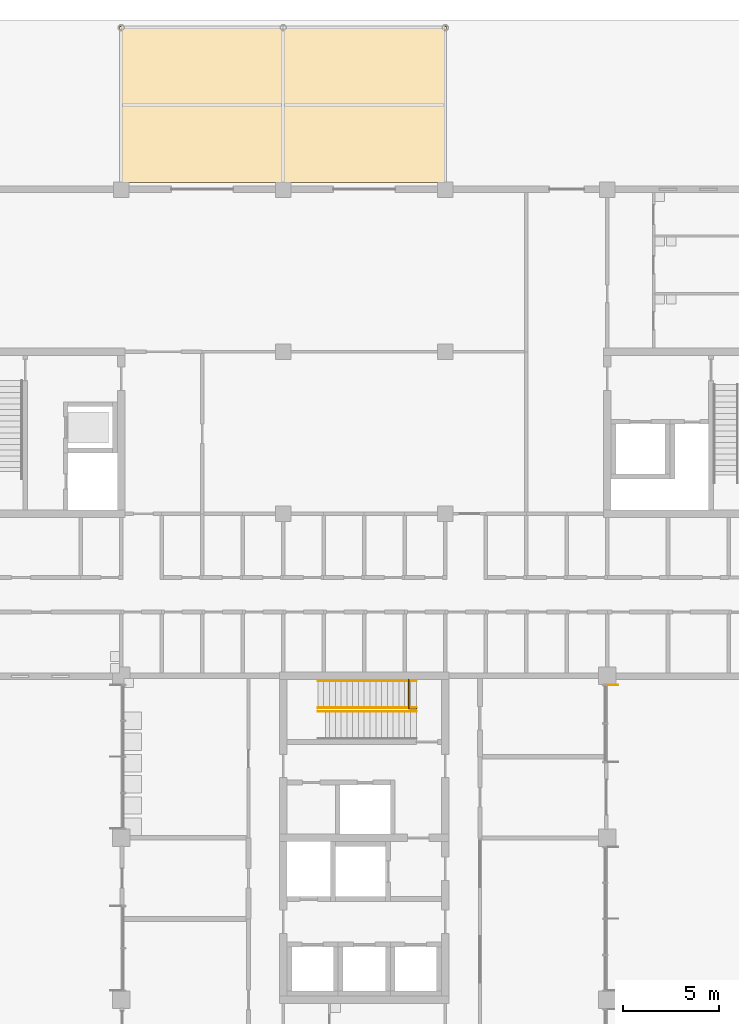
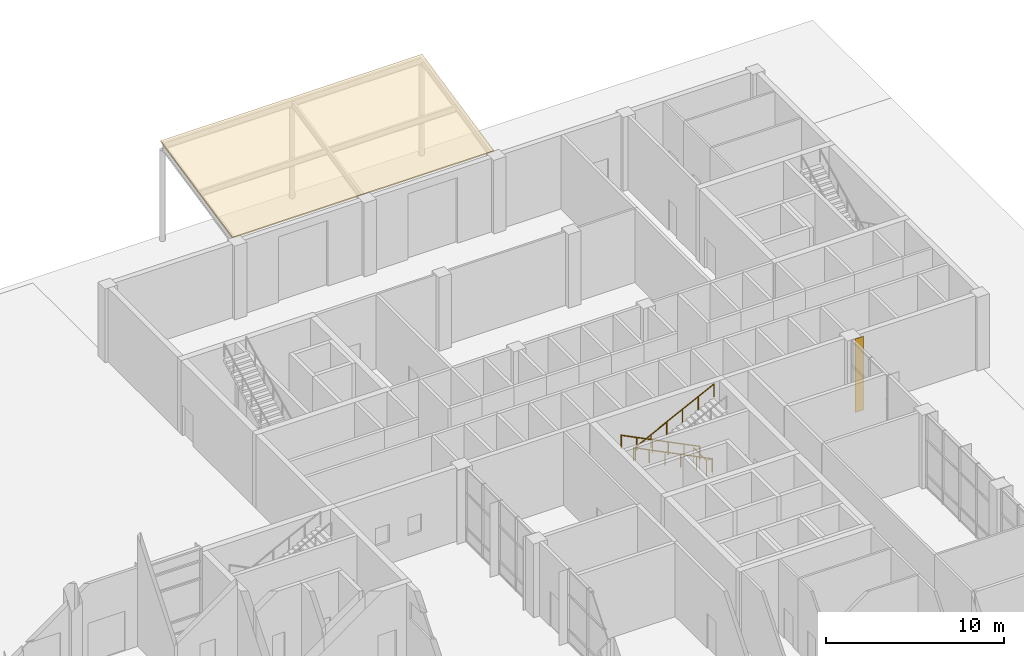
# One storey, part 70 of 76: 4 railings, 1 covering, 1 shading device.
"""IFC4 building model written with IfcOpenShell, lengths in metres."""

from ifc_helpers import new_model, si_unit, direction, frame, origin, origin_2d, place, context, subcontext, project, spatial, polyline, rectangle, circle, outline, extrude, material, layer, layer_set, type_object, element, save


model = new_model("IFC4")

# Units and contexts
model_context = context("Model", 3, precision=1e-05, world=origin(), true_north=direction((0.0, 1.0)))
body_context = subcontext(model_context, "Body", "Model", "MODEL_VIEW")
ifc_project = project(units=[si_unit("LENGTHUNIT", "METRE"), si_unit("AREAUNIT", "SQUARE_METRE"), si_unit("VOLUMEUNIT", "CUBIC_METRE"), si_unit("PLANEANGLEUNIT", "RADIAN"), si_unit("MASSUNIT", "GRAM", prefix="KILO")], contexts=[model_context])

# Site, building, storey
site_placement = place(None, origin())
site = spatial("IfcSite", under=ifc_project, at=site_placement, CompositionType="ELEMENT")
building_placement = place(site_placement, origin())
building = spatial("IfcBuilding", under=site, at=building_placement, Name="Hlaing Beacon Police Headquarters", CompositionType="ELEMENT")
storey_placement = place(building_placement, origin())
storey = spatial("IfcBuildingStorey", under=building, at=storey_placement, Name="L00", CompositionType="ELEMENT", Elevation=0.0)

# Shading device
ifc_material_1 = material(Name="Aluminium 6063-T5 anodised", Category="aluminium")
ifc_layer_1 = layer(ifc_material_1, 0.011962890625)
ifc_layer_set_1 = layer_set([ifc_layer_1], Name="Aluminium 6063-T5 anodised")
shading_device_type = type_object("IfcShadingDeviceType", Name="Aluminium fin 12x550", PredefinedType="JALOUSIE", material=ifc_layer_set_1)
shading_device_placement = place(storey_placement, frame((126.300048828125, 66.719970703125, 0.0), z_axis=(0.0, 0.0, 1.0), x_axis=(0.0, 1.0, 0.0)))
element("IfcShadingDevice", 1, at=shading_device_placement, inside=storey, type_object=shading_device_type, Name="Fin L00 E015.2", PredefinedType="JALOUSIE", context=body_context, shape_type="SweptSolid", body=[
    extrude(rectangle(XDim=0.011962890625, YDim=0.550048828125, at=origin_2d()), origin(), (0.0, 0.0, 1.0), 5.050048828125),
])

# Covering
ifc_material_2 = material(Name="Aluminium composite roof sheet", Category="aluminium")
ifc_layer_2 = layer(ifc_material_2, 0.10009765625)
ifc_layer_set_2 = layer_set([ifc_layer_2], Name="Aluminium composite roof sheet")
covering_type = type_object("IfcCoveringType", Name="Canopy roofing sheet 100", PredefinedType="ROOFING", material=ifc_layer_set_2)
covering_placement = place(storey_placement, frame((100.723876953125, 92.779296875, 5.093017578125), z_axis=(0.0, -0.207901193137, 0.978149832026), x_axis=(0.0, 0.978149832026, 0.207901193137)))
element("IfcCovering", 2, at=covering_placement, inside=storey, type_object=covering_type, Name="Sally port canopy roofing", PredefinedType="ROOFING", context=body_context, shape_type="SweptSolid", body=[
    extrude(outline(polyline([(0.0, 0.0), (8.256579524502342, 0.0), (8.256579524502342, -16.952392578125), (0.0, -16.952392578125), (0.0, 0.0)])), origin(), (0.0, 0.0, -1.0), 0.10009765625),
])

# Railings
ifc_material_3 = material(Name="Stainless steel", Category="steel")
railing_type_1 = type_object("IfcRailingType", Name="Stair guard 1100", PredefinedType="GUARDRAIL", material=ifc_material_3)
railing_1_placement = place(storey_placement, frame((115.699951171875, 67.0, 0.0)))
element("IfcRailing", 3, at=railing_1_placement, inside=storey, type_object=railing_type_1, Name="Guard ST-M", PredefinedType="GUARDRAIL", context=body_context, shape_type="SweptSolid", body=[
    extrude(circle(Radius=0.02392578125, at=origin_2d()), frame((0.0, 0.0, 1.076171875), z_axis=(0.0, -1.0, 0.0), x_axis=(1.0, 0.0, 0.0)), (0.0, 0.0, 1.0), 1.5),
    extrude(circle(Radius=0.02392578125, at=origin_2d()), frame((0.0, -1.5, 1.076171875), z_axis=(1.0, 0.0, 0.0), x_axis=(0.0, 1.0, 0.0)), (0.0, 0.0, 1.0), 0.400146484375),
    extrude(circle(Radius=0.02099609375, at=origin_2d()), origin(), (0.0, 0.0, 1.0), 1.052001953125),
    extrude(circle(Radius=0.02099609375, at=origin_2d()), frame((0.0, -0.75, 0.0)), (0.0, 0.0, 1.0), 1.052001953125),
    extrude(circle(Radius=0.02099609375, at=origin_2d()), frame((0.0, -1.5, 0.0)), (0.0, 0.0, 1.0), 1.052001953125),
    extrude(circle(Radius=0.02099609375, at=origin_2d()), frame((0.400146484375, -1.5, 0.0)), (0.0, 0.0, 1.0), 1.052001953125),
])
ifc_material_4 = material(Name="Stainless steel", Category="steel")
railing_type_2 = type_object("IfcRailingType", Name="Stair handrail 900", PredefinedType="HANDRAIL", material=ifc_material_4)
for number, where, name in (
    (4, (116.10009765625, 66.949951171875, 0.14990234375), "Handrail ST-M"),
    (5, (116.10009765625, 65.550048828125, 0.14990234375), "Handrail ST-M"),
):
    element("IfcRailing", number, at=place(storey_placement, frame(where)), inside=storey, type_object=railing_type_2, Name=name, PredefinedType="HANDRAIL", context=body_context, shape_type="SweptSolid", body=[
        extrude(circle(Radius=0.02392578125, at=origin_2d()), frame((0.0, 0.0, 0.8759765625), z_axis=(-0.894427191, 0.0, 0.4472135955), x_axis=(0.0, -1.0, 0.0)), (0.0, 0.0, 1.0), 5.7021484375),
        extrude(circle(Radius=0.02099609375, at=origin_2d()), origin(), (0.0, 0.0, 1.0), 0.851806640625),
        extrude(circle(Radius=0.02099609375, at=origin_2d()), frame((-1.02001953125, 0.0, 0.510009765625)), (0.0, 0.0, 1.0), 0.851806640625),
        extrude(circle(Radius=0.02099609375, at=origin_2d()), frame((-2.0400390625, 0.0, 1.02001953125)), (0.0, 0.0, 1.0), 0.851806640625),
        extrude(circle(Radius=0.02099609375, at=origin_2d()), frame((-3.06005859375, 0.0, 1.530029296875)), (0.0, 0.0, 1.0), 0.851806640625),
        extrude(circle(Radius=0.02099609375, at=origin_2d()), frame((-4.080078125, 0.0, 2.0400390625)), (0.0, 0.0, 1.0), 0.851806640625),
        extrude(circle(Radius=0.02099609375, at=origin_2d()), frame((-5.10009765625, 0.0, 2.550048828125)), (0.0, 0.0, 1.0), 0.851806640625),
    ])
railing_2_placement = place(storey_placement, frame((111.0, 65.35009765625, 2.85009765625)))
element("IfcRailing", 6, at=railing_2_placement, inside=storey, type_object=railing_type_2, Name="Handrail ST-M", PredefinedType="HANDRAIL", context=body_context, shape_type="SweptSolid", body=[
    extrude(circle(Radius=0.02392578125, at=origin_2d()), frame((0.0, 0.0, 0.8759765625), z_axis=(0.89444431709, 0.0, 0.44717934168), x_axis=(0.0, 1.0, 0.0)), (0.0, 0.0, 1.0), 5.701904296875),
    extrude(circle(Radius=0.02099609375, at=origin_2d()), origin(), (0.0, 0.0, 1.0), 0.851806640625),
    extrude(circle(Radius=0.02099609375, at=origin_2d()), frame((1.02001953125, 0.0, 0.510009765625)), (0.0, 0.0, 1.0), 0.851806640625),
    extrude(circle(Radius=0.02099609375, at=origin_2d()), frame((2.0400390625, 0.0, 1.02001953125)), (0.0, 0.0, 1.0), 0.851806640625),
    extrude(circle(Radius=0.02099609375, at=origin_2d()), frame((3.06005859375, 0.0, 1.52978515625)), (0.0, 0.0, 1.0), 0.851806640625),
    extrude(circle(Radius=0.02099609375, at=origin_2d()), frame((4.080078125, 0.0, 2.039794921875)), (0.0, 0.0, 1.0), 0.851806640625),
    extrude(circle(Radius=0.02099609375, at=origin_2d()), frame((5.10009765625, 0.0, 2.5498046875)), (0.0, 0.0, 1.0), 0.851806640625),
])

save(model, "model.ifc")
